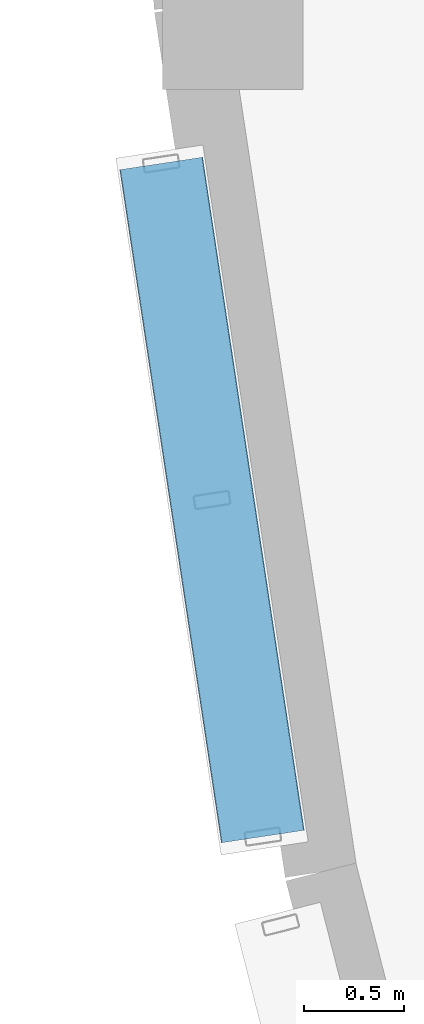
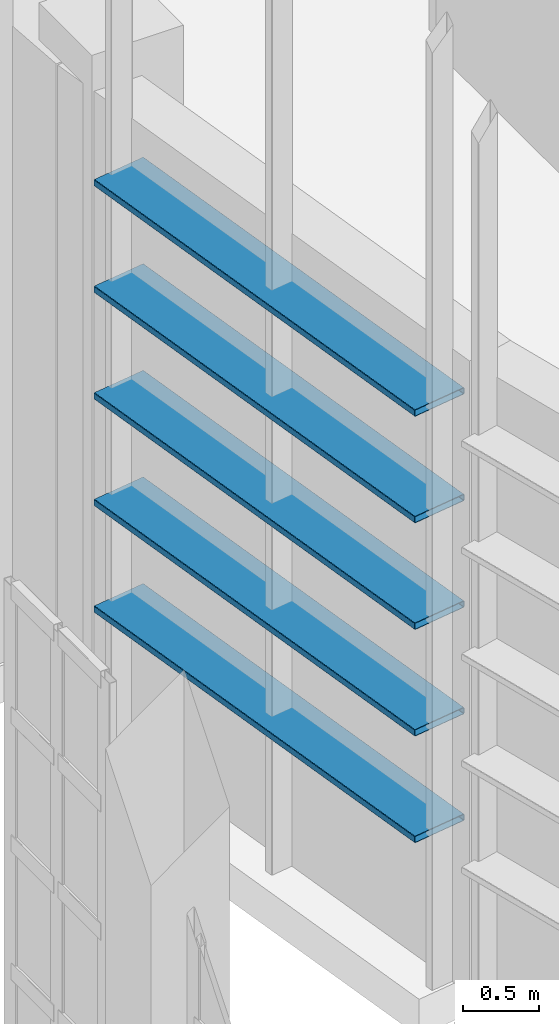
# One storey, part 174 of 372: 5 members.
"""IFC4 building model written with IfcOpenShell, lengths in metres."""

from ifc_helpers import new_model, si_unit, direction, frame, origin, origin_2d, place, context, subcontext, project, spatial, hollow_rectangle, extrude, material, material_profile, profile_set, type_object, element, save


model = new_model("IFC4")

# Units and contexts
model_context = context("Model", 3, precision=1e-05, world=origin(), true_north=direction((0.0, 1.0)))
body_context = subcontext(model_context, "Body", "Model", "MODEL_VIEW")
ifc_project = project(units=[si_unit("LENGTHUNIT", "METRE"), si_unit("AREAUNIT", "SQUARE_METRE"), si_unit("VOLUMEUNIT", "CUBIC_METRE"), si_unit("PLANEANGLEUNIT", "RADIAN"), si_unit("MASSUNIT", "GRAM", prefix="KILO")], contexts=[model_context])

# Site, building, storey
site_placement = place(None, origin())
site = spatial("IfcSite", under=ifc_project, at=site_placement, CompositionType="ELEMENT")
building_placement = place(site_placement, origin())
building = spatial("IfcBuilding", under=site, at=building_placement, Name="Kaelora Sail Theatre", CompositionType="ELEMENT")
storey_placement = place(building_placement, origin())
storey = spatial("IfcBuildingStorey", under=building, at=storey_placement, Name="L00", CompositionType="ELEMENT", Elevation=0.0)

# Members
ifc_material = material(Name="Anodised aluminium 6063-T6", Category="aluminium")
ifc_material_profile = material_profile(ifc_material, hollow_rectangle(XDim=0.419921875, YDim=0.054931640625, WallThickness=0.00390625, InnerFilletRadius=0.00390625, OuterFilletRadius=0.008056640625, at=origin_2d()), Name="LOUVRE 420x55x4")
ifc_profile_set = profile_set([ifc_material_profile], Name="Anodised aluminium 6063-T6")
member_type = type_object("IfcMemberType", Name="ARC-MEM-LVR-420", PredefinedType="USERDEFINED", material=ifc_profile_set)
for number, where, z_axis, x_axis, name in (
    (1, (77.3671875, 47.68603515625, 1.25), (-0.149296451162, 0.98879248059, 0.0), (-0.98879248059, -0.149296451162, 0.0), "Studio Theatre Sail Drum horizontal solar louvre C18-01"),
    (2, (77.3671875, 47.68603515625, 2.110107421875), (-0.149296451162, 0.98879248059, 0.0), (-0.98879248059, -0.149296451162, 0.0), "Studio Theatre Sail Drum horizontal solar louvre C18-02"),
    (3, (77.3671875, 47.68603515625, 2.969970703125), (-0.149296451162, 0.98879248059, 0.0), (-0.98879248059, -0.149296451162, 0.0), "Studio Theatre Sail Drum horizontal solar louvre C18-03"),
    (4, (77.3671875, 47.68603515625, 3.830078125), (-0.149296451162, 0.98879248059, 0.0), (-0.98879248059, -0.149296451162, 0.0), "Studio Theatre Sail Drum horizontal solar louvre C18-04"),
    (5, (77.3671875, 47.68603515625, 4.68994140625), (-0.149296451162, 0.98879248059, 0.0), (-0.98879248059, -0.149296451162, 0.0), "Studio Theatre Sail Drum horizontal solar louvre C18-05"),
):
    element("IfcMember", number, at=place(storey_placement, frame(where, z_axis=z_axis, x_axis=x_axis)), inside=storey, type_object=member_type, Name=name, ObjectType="LOUVRE", PredefinedType="USERDEFINED", context=body_context, shape_type="SweptSolid", body=[
        extrude(hollow_rectangle(XDim=0.419921875, YDim=0.054931640625, WallThickness=0.00390625, InnerFilletRadius=0.00390625, OuterFilletRadius=0.008056640625, at=origin_2d()), origin(), (0.0, 0.0, 1.0), 3.396484375),
    ])

save(model, "model.ifc")
